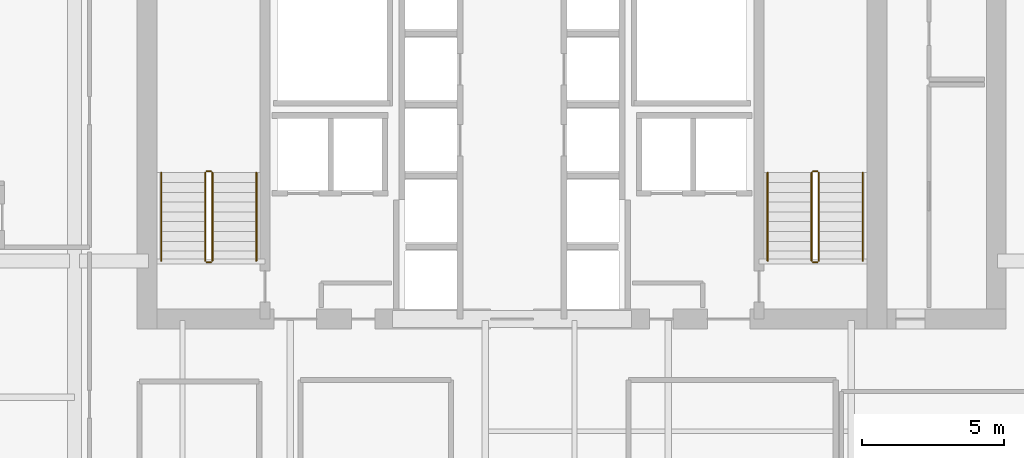
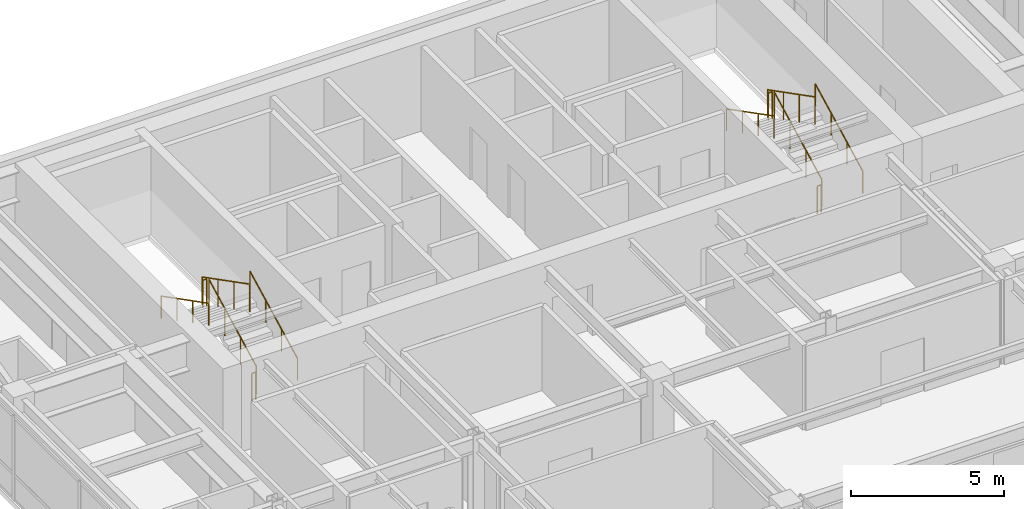
# One storey, part 24 of 24: 12 railings.
"""IFC4 building model written with IfcOpenShell, lengths in metres."""

from ifc_helpers import new_model, si_unit, direction, frame, origin, origin_2d, place, context, subcontext, project, spatial, circle, extrude, material, type_object, element, save


model = new_model("IFC4")

# Units and contexts
model_context = context("Model", 3, precision=1e-05, world=origin(), true_north=direction((0.0, 1.0)))
body_context = subcontext(model_context, "Body", "Model", "MODEL_VIEW")
ifc_project = project(units=[si_unit("LENGTHUNIT", "METRE"), si_unit("AREAUNIT", "SQUARE_METRE"), si_unit("VOLUMEUNIT", "CUBIC_METRE"), si_unit("PLANEANGLEUNIT", "RADIAN"), si_unit("MASSUNIT", "GRAM", prefix="KILO")], contexts=[model_context])

# Site, building, storey
site_placement = place(None, origin())
site = spatial("IfcSite", under=ifc_project, at=site_placement, CompositionType="ELEMENT")
building_placement = place(site_placement, origin())
building = spatial("IfcBuilding", under=site, at=building_placement, Name="Tolvann Quenvar Hotel", CompositionType="ELEMENT")
storey_placement = place(building_placement, frame((0.0, 0.0, 157.699951171875)))
storey = spatial("IfcBuildingStorey", under=building, at=storey_placement, Name="L41", CompositionType="ELEMENT", Elevation=157.699951171875)

# Railings
ifc_material = material(Name="Brushed 316 stainless steel balustrade and handrail", Category="steel")
railing_type_1 = type_object("IfcRailingType", Name="GUARDRAIL", PredefinedType="GUARDRAIL", material=ifc_material)
railing_1_placement = place(storey_placement, frame((12.449951171875, 34.0, 0.177490234375)))
element("IfcRailing", 1, at=railing_1_placement, inside=storey, type_object=railing_type_1, Name="L41 ST-C1 stair guard 1", PredefinedType="GUARDRAIL", context=body_context, shape_type="SweptSolid", body=[
    extrude(circle(Radius=0.02392578125, at=origin_2d()), frame((0.0, 0.0, 1.09619140625), z_axis=(0.0, 0.88919353882, 0.457531256332), x_axis=(-1.0, 0.0, 0.0)), (0.0, 0.0, 1.0), 3.491943359375),
    extrude(circle(Radius=0.02099609375, at=origin_2d()), origin(), (0.0, 0.0, 1.0), 1.072021484375),
    extrude(circle(Radius=0.02099609375, at=origin_2d()), frame((0.0, 1.034912109375, 0.532470703125)), (0.0, 0.0, 1.0), 1.072021484375),
    extrude(circle(Radius=0.02099609375, at=origin_2d()), frame((0.0, 2.070068359375, 1.065185546875)), (0.0, 0.0, 1.0), 1.072021484375),
    extrude(circle(Radius=0.02099609375, at=origin_2d()), frame((0.0, 3.10498046875, 1.59765625)), (0.0, 0.0, 1.0), 1.072021484375),
])
railing_2_placement = place(storey_placement, frame((12.39990234375, 37.155029296875, 1.775146484375)))
element("IfcRailing", 2, at=railing_2_placement, inside=storey, type_object=railing_type_1, Name="L41 ST-C1 stair guard 2", PredefinedType="GUARDRAIL", context=body_context, shape_type="SweptSolid", body=[
    extrude(circle(Radius=0.02392578125, at=origin_2d()), frame((0.0, 0.0, 1.09619140625), z_axis=(-1.0, 0.0, 0.0), x_axis=(0.0, -1.0, 0.0)), (0.0, 0.0, 1.0), 0.14990234375),
    extrude(circle(Radius=0.02099609375, at=origin_2d()), origin(), (0.0, 0.0, 1.0), 1.072021484375),
    extrude(circle(Radius=0.02099609375, at=origin_2d()), frame((-0.14990234375, 0.0, 0.0)), (0.0, 0.0, 1.0), 1.072021484375),
])
railing_3_placement = place(storey_placement, frame((12.199951171875, 37.10498046875, 1.95263671875)))
element("IfcRailing", 3, at=railing_3_placement, inside=storey, type_object=railing_type_1, Name="L41 ST-C1 stair guard 3", PredefinedType="GUARDRAIL", context=body_context, shape_type="SweptSolid", body=[
    extrude(circle(Radius=0.02392578125, at=origin_2d()), frame((0.0, 0.0, 1.09619140625), z_axis=(0.0, -0.889221982265, 0.45747597342), x_axis=(1.0, 0.0, 0.0)), (0.0, 0.0, 1.0), 3.49169921875),
    extrude(circle(Radius=0.02099609375, at=origin_2d()), origin(), (0.0, 0.0, 1.0), 1.072021484375),
    extrude(circle(Radius=0.02099609375, at=origin_2d()), frame((0.0, -1.034912109375, 0.532470703125)), (0.0, 0.0, 1.0), 1.072021484375),
    extrude(circle(Radius=0.02099609375, at=origin_2d()), frame((0.0, -2.070068359375, 1.06494140625)), (0.0, 0.0, 1.0), 1.072021484375),
    extrude(circle(Radius=0.02099609375, at=origin_2d()), frame((0.0, -3.10498046875, 1.597412109375)), (0.0, 0.0, 1.0), 1.072021484375),
])
railing_4_placement = place(storey_placement, frame((12.39990234375, 33.949951171875, 0.0)))
element("IfcRailing", 4, at=railing_4_placement, inside=storey, type_object=railing_type_1, Name="L41 ST-C1 stair guard 4", PredefinedType="GUARDRAIL", context=body_context, shape_type="SweptSolid", body=[
    extrude(circle(Radius=0.02392578125, at=origin_2d()), frame((0.0, 0.0, 1.09619140625), z_axis=(-1.0, 0.0, 0.0), x_axis=(0.0, -1.0, 0.0)), (0.0, 0.0, 1.0), 0.14990234375),
    extrude(circle(Radius=0.02099609375, at=origin_2d()), origin(), (0.0, 0.0, 1.0), 1.072021484375),
    extrude(circle(Radius=0.02099609375, at=origin_2d()), frame((-0.14990234375, 0.0, 0.0)), (0.0, 0.0, 1.0), 1.072021484375),
])
railing_5_placement = place(storey_placement, frame((33.800048828125, 34.0, 0.177490234375)))
element("IfcRailing", 5, at=railing_5_placement, inside=storey, type_object=railing_type_1, Name="L41 ST-C2 stair guard 1", PredefinedType="GUARDRAIL", context=body_context, shape_type="SweptSolid", body=[
    extrude(circle(Radius=0.02392578125, at=origin_2d()), frame((0.0, 0.0, 1.09619140625), z_axis=(0.0, 0.88919353882, 0.457531256332), x_axis=(-1.0, 0.0, 0.0)), (0.0, 0.0, 1.0), 3.491943359375),
    extrude(circle(Radius=0.02099609375, at=origin_2d()), origin(), (0.0, 0.0, 1.0), 1.072021484375),
    extrude(circle(Radius=0.02099609375, at=origin_2d()), frame((0.0, 1.034912109375, 0.532470703125)), (0.0, 0.0, 1.0), 1.072021484375),
    extrude(circle(Radius=0.02099609375, at=origin_2d()), frame((0.0, 2.070068359375, 1.065185546875)), (0.0, 0.0, 1.0), 1.072021484375),
    extrude(circle(Radius=0.02099609375, at=origin_2d()), frame((0.0, 3.10498046875, 1.59765625)), (0.0, 0.0, 1.0), 1.072021484375),
])
railing_6_placement = place(storey_placement, frame((33.75, 37.155029296875, 1.775146484375)))
element("IfcRailing", 6, at=railing_6_placement, inside=storey, type_object=railing_type_1, Name="L41 ST-C2 stair guard 2", PredefinedType="GUARDRAIL", context=body_context, shape_type="SweptSolid", body=[
    extrude(circle(Radius=0.02392578125, at=origin_2d()), frame((0.0, 0.0, 1.09619140625), z_axis=(-1.0, 0.0, 0.0), x_axis=(0.0, -1.0, 0.0)), (0.0, 0.0, 1.0), 0.14990234375),
    extrude(circle(Radius=0.02099609375, at=origin_2d()), origin(), (0.0, 0.0, 1.0), 1.072021484375),
    extrude(circle(Radius=0.02099609375, at=origin_2d()), frame((-0.14990234375, 0.0, 0.0)), (0.0, 0.0, 1.0), 1.072021484375),
])
railing_7_placement = place(storey_placement, frame((33.550048828125, 37.10498046875, 1.95263671875)))
element("IfcRailing", 7, at=railing_7_placement, inside=storey, type_object=railing_type_1, Name="L41 ST-C2 stair guard 3", PredefinedType="GUARDRAIL", context=body_context, shape_type="SweptSolid", body=[
    extrude(circle(Radius=0.02392578125, at=origin_2d()), frame((0.0, 0.0, 1.09619140625), z_axis=(0.0, -0.889221982265, 0.45747597342), x_axis=(1.0, 0.0, 0.0)), (0.0, 0.0, 1.0), 3.49169921875),
    extrude(circle(Radius=0.02099609375, at=origin_2d()), origin(), (0.0, 0.0, 1.0), 1.072021484375),
    extrude(circle(Radius=0.02099609375, at=origin_2d()), frame((0.0, -1.034912109375, 0.532470703125)), (0.0, 0.0, 1.0), 1.072021484375),
    extrude(circle(Radius=0.02099609375, at=origin_2d()), frame((0.0, -2.070068359375, 1.06494140625)), (0.0, 0.0, 1.0), 1.072021484375),
    extrude(circle(Radius=0.02099609375, at=origin_2d()), frame((0.0, -3.10498046875, 1.597412109375)), (0.0, 0.0, 1.0), 1.072021484375),
])
railing_8_placement = place(storey_placement, frame((33.75, 33.949951171875, 0.0)))
element("IfcRailing", 8, at=railing_8_placement, inside=storey, type_object=railing_type_1, Name="L41 ST-C2 stair guard 4", PredefinedType="GUARDRAIL", context=body_context, shape_type="SweptSolid", body=[
    extrude(circle(Radius=0.02392578125, at=origin_2d()), frame((0.0, 0.0, 1.09619140625), z_axis=(-1.0, 0.0, 0.0), x_axis=(0.0, -1.0, 0.0)), (0.0, 0.0, 1.0), 0.14990234375),
    extrude(circle(Radius=0.02099609375, at=origin_2d()), origin(), (0.0, 0.0, 1.0), 1.072021484375),
    extrude(circle(Radius=0.02099609375, at=origin_2d()), frame((-0.14990234375, 0.0, 0.0)), (0.0, 0.0, 1.0), 1.072021484375),
])
railing_type_2 = type_object("IfcRailingType", Name="HANDRAIL", PredefinedType="HANDRAIL", material=ifc_material)
railing_9_placement = place(storey_placement, frame((14.0, 34.0, 0.177490234375)))
element("IfcRailing", 9, at=railing_9_placement, inside=storey, type_object=railing_type_2, Name="L41 ST-C1 stair handrail 1", PredefinedType="HANDRAIL", context=body_context, shape_type="SweptSolid", body=[
    extrude(circle(Radius=0.02392578125, at=origin_2d()), frame((0.0, 0.0, 0.8759765625), z_axis=(0.0, 0.88919353882, 0.457531256332), x_axis=(-1.0, 0.0, 0.0)), (0.0, 0.0, 1.0), 3.491943359375),
    extrude(circle(Radius=0.02099609375, at=origin_2d()), origin(), (0.0, 0.0, 1.0), 0.851806640625),
    extrude(circle(Radius=0.02099609375, at=origin_2d()), frame((0.0, 1.034912109375, 0.532470703125)), (0.0, 0.0, 1.0), 0.851806640625),
    extrude(circle(Radius=0.02099609375, at=origin_2d()), frame((0.0, 2.070068359375, 1.065185546875)), (0.0, 0.0, 1.0), 0.851806640625),
    extrude(circle(Radius=0.02099609375, at=origin_2d()), frame((0.0, 3.10498046875, 1.59765625)), (0.0, 0.0, 1.0), 0.851806640625),
])
railing_10_placement = place(storey_placement, frame((10.64990234375, 37.10498046875, 1.95263671875)))
element("IfcRailing", 10, at=railing_10_placement, inside=storey, type_object=railing_type_2, Name="L41 ST-C1 stair handrail 2", PredefinedType="HANDRAIL", context=body_context, shape_type="SweptSolid", body=[
    extrude(circle(Radius=0.02392578125, at=origin_2d()), frame((0.0, 0.0, 0.8759765625), z_axis=(0.0, -0.889221982265, 0.45747597342), x_axis=(1.0, 0.0, 0.0)), (0.0, 0.0, 1.0), 3.49169921875),
    extrude(circle(Radius=0.02099609375, at=origin_2d()), origin(), (0.0, 0.0, 1.0), 0.851806640625),
    extrude(circle(Radius=0.02099609375, at=origin_2d()), frame((0.0, -1.034912109375, 0.532470703125)), (0.0, 0.0, 1.0), 0.851806640625),
    extrude(circle(Radius=0.02099609375, at=origin_2d()), frame((0.0, -2.070068359375, 1.06494140625)), (0.0, 0.0, 1.0), 0.851806640625),
    extrude(circle(Radius=0.02099609375, at=origin_2d()), frame((0.0, -3.10498046875, 1.597412109375)), (0.0, 0.0, 1.0), 0.851806640625),
])
railing_11_placement = place(storey_placement, frame((35.35009765625, 34.0, 0.177490234375)))
element("IfcRailing", 11, at=railing_11_placement, inside=storey, type_object=railing_type_2, Name="L41 ST-C2 stair handrail 1", PredefinedType="HANDRAIL", context=body_context, shape_type="SweptSolid", body=[
    extrude(circle(Radius=0.02392578125, at=origin_2d()), frame((0.0, 0.0, 0.8759765625), z_axis=(0.0, 0.88919353882, 0.457531256332), x_axis=(-1.0, 0.0, 0.0)), (0.0, 0.0, 1.0), 3.491943359375),
    extrude(circle(Radius=0.02099609375, at=origin_2d()), origin(), (0.0, 0.0, 1.0), 0.851806640625),
    extrude(circle(Radius=0.02099609375, at=origin_2d()), frame((0.0, 1.034912109375, 0.532470703125)), (0.0, 0.0, 1.0), 0.851806640625),
    extrude(circle(Radius=0.02099609375, at=origin_2d()), frame((0.0, 2.070068359375, 1.065185546875)), (0.0, 0.0, 1.0), 0.851806640625),
    extrude(circle(Radius=0.02099609375, at=origin_2d()), frame((0.0, 3.10498046875, 1.59765625)), (0.0, 0.0, 1.0), 0.851806640625),
])
railing_12_placement = place(storey_placement, frame((32.0, 37.10498046875, 1.95263671875)))
element("IfcRailing", 12, at=railing_12_placement, inside=storey, type_object=railing_type_2, Name="L41 ST-C2 stair handrail 2", PredefinedType="HANDRAIL", context=body_context, shape_type="SweptSolid", body=[
    extrude(circle(Radius=0.02392578125, at=origin_2d()), frame((0.0, 0.0, 0.8759765625), z_axis=(0.0, -0.889221982265, 0.45747597342), x_axis=(1.0, 0.0, 0.0)), (0.0, 0.0, 1.0), 3.49169921875),
    extrude(circle(Radius=0.02099609375, at=origin_2d()), origin(), (0.0, 0.0, 1.0), 0.851806640625),
    extrude(circle(Radius=0.02099609375, at=origin_2d()), frame((0.0, -1.034912109375, 0.532470703125)), (0.0, 0.0, 1.0), 0.851806640625),
    extrude(circle(Radius=0.02099609375, at=origin_2d()), frame((0.0, -2.070068359375, 1.06494140625)), (0.0, 0.0, 1.0), 0.851806640625),
    extrude(circle(Radius=0.02099609375, at=origin_2d()), frame((0.0, -3.10498046875, 1.597412109375)), (0.0, 0.0, 1.0), 0.851806640625),
])

save(model, "model.ifc")
